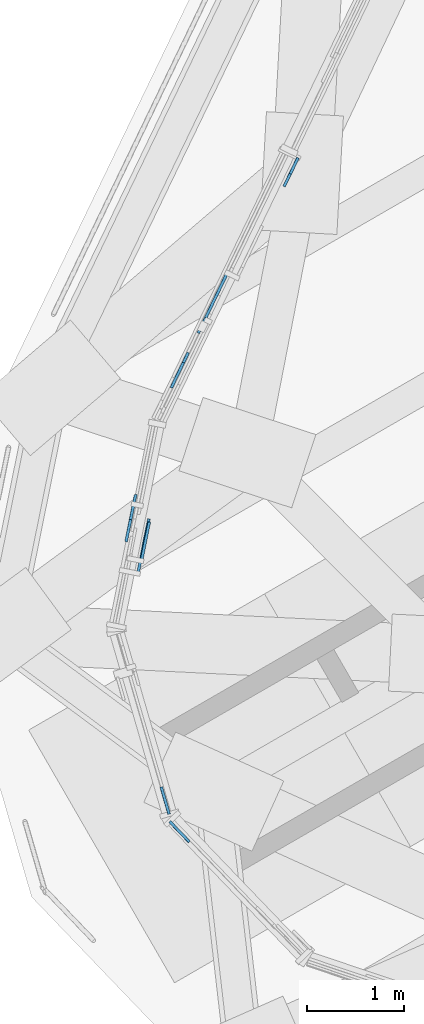
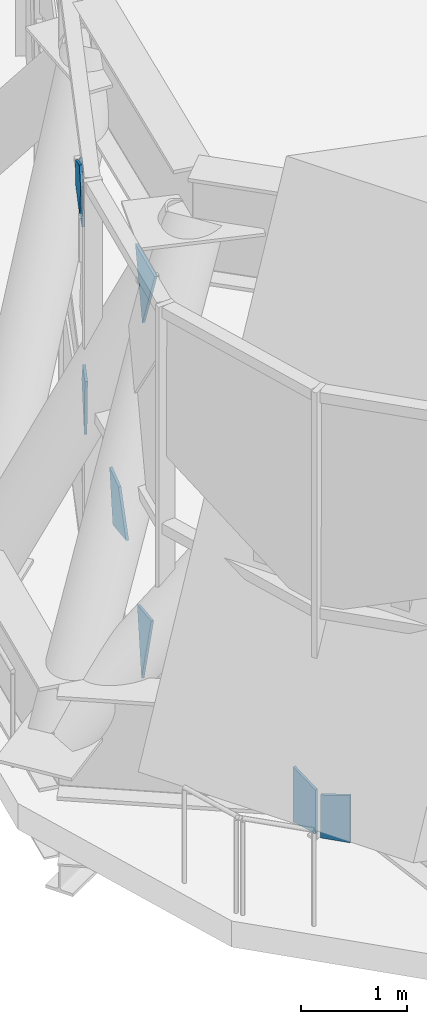
# One storey, part 22 of 43: 8 plates, 2 elements without a shape of their own.
"""IFC4 building model written with IfcOpenShell, lengths in metres."""

from ifc_helpers import new_model, si_unit, direction, frame, origin, place, context, subcontext, project, spatial, polyline, outline, extrude, material, layer, layer_set, type_object, element, aggregate, save


model = new_model("IFC4")

# Units and contexts
model_context = context("Model", 3, precision=1e-05, world=origin(), true_north=direction((0.0, 1.0)))
body_context = subcontext(model_context, "Body", "Model", "MODEL_VIEW")
ifc_project = project(units=[si_unit("LENGTHUNIT", "METRE"), si_unit("AREAUNIT", "SQUARE_METRE"), si_unit("VOLUMEUNIT", "CUBIC_METRE"), si_unit("PLANEANGLEUNIT", "RADIAN"), si_unit("MASSUNIT", "GRAM", prefix="KILO")], contexts=[model_context])

# Site, building, storey
site_placement = place(None, origin())
site = spatial("IfcSite", under=ifc_project, at=site_placement, CompositionType="ELEMENT")
building_placement = place(site_placement, origin())
building = spatial("IfcBuilding", under=site, at=building_placement, Name="Mestral Congress Tower", CompositionType="ELEMENT")
storey_placement = place(building_placement, frame((0.0, 0.0, 78.300048828125)))
storey = spatial("IfcBuildingStorey", under=building, at=storey_placement, Name="L18", CompositionType="ELEMENT", Elevation=78.300048828125)

# Curtain wall, plates
ifc_material_1 = material(Name="Clear low-emissivity double glazing", Category="glass")
curtain_wall_type = type_object("IfcCurtainWallType", Name="Facade refuge band screen", PredefinedType="USERDEFINED", material=ifc_material_1)
placement = place(storey_placement, origin())
curtain_wall_1 = element("IfcCurtainWall", 1, at=placement, inside=storey, type_object=curtain_wall_type, Name="Facade refuge band screen face 3", ObjectType="CURTAIN WALL", PredefinedType="USERDEFINED")
ifc_material_2 = material(Name="Anodised aluminium", Category="aluminium")
ifc_layer_1 = layer(ifc_material_2, 0.028076171875)
ifc_layer_set_1 = layer_set([ifc_layer_1], Name="Anodised aluminium")
plate_type_1 = type_object("IfcPlateType", Name="Facade refuge band screen brace cover panel", PredefinedType="CURTAIN_PANEL", material=ifc_layer_set_1)
plate_1_placement = place(storey_placement, frame((-30.748291015625, -11.8408203125, 3.259765625), z_axis=(-0.900605936949, 0.434631511908, 0.002096470412), x_axis=(-0.103876412622, -0.210555016509, -0.97204746588)))
plate_1 = element("IfcPlate", 2, at=plate_1_placement, type_object=plate_type_1, Name="Facade refuge band screen brace cover panel", PredefinedType="CURTAIN_PANEL", context=body_context, shape_type="SweptSolid", body=[
    extrude(outline(polyline([(0.0, 0.0), (0.6171033664476244, 0.0), (0.5401441770115606, -0.3186357915955725), (-0.020870130839500397, -0.18312031866380135), (0.0, 0.0)])), origin(), (0.0, 0.0, -1.0), 0.028076171875),
])
plate_2_placement = place(storey_placement, frame((-31.6943359375, -13.47900390625, 4.34814453125), z_axis=(-0.900571642027, 0.434702467155, 0.002117221346), x_axis=(0.108116058928, 0.228695773218, -0.967475664352)))
plate_2 = element("IfcPlate", 3, at=plate_2_placement, type_object=plate_type_1, Name="Facade refuge band screen brace cover panel", PredefinedType="CURTAIN_PANEL", context=body_context, shape_type="SweptSolid", body=[
    extrude(outline(polyline([(0.0, 0.0), (0.42394461844678344, -1.3877787807814457e-17), (0.5584873466837543, -0.5145842770990432), (0.3329932145730661, -0.6230826584627541), (-0.07988672367834282, -0.20406000523114462), (0.0, 0.0)])), origin(), (0.0, 0.0, -1.0), 0.028076171875),
])

curtain_wall_2 = element("IfcCurtainWall", 4, at=placement, inside=storey, type_object=curtain_wall_type, Name="Facade refuge band screen corner 3", ObjectType="CURTAIN WALL", PredefinedType="USERDEFINED")
plate_3_placement = place(storey_placement, frame((-32.198974609375, -15.423583984375, 0.88818359375), z_axis=(-0.980262429601, 0.197688798977, 0.002169762967), x_axis=(-0.193400154641, -0.961157868232, 0.196905897626)))
plate_3 = element("IfcPlate", 5, at=plate_3_placement, type_object=plate_type_1, Name="Facade refuge band screen brace cover panel", PredefinedType="CURTAIN_PANEL", context=body_context, shape_type="SweptSolid", body=[
    extrude(outline(polyline([(0.0, 0.0), (0.4178411699043781, 0.0), (-0.022970776073544058, -0.7750568350605532), (0.0, 0.0)])), origin(), (0.0, 0.0, -1.0), 0.028076171875),
])
plate_4_placement = place(storey_placement, frame((-32.3388671875, -15.141357421875, 2.35205078125), z_axis=(-0.980221063407, 0.197896053309, 0.001954210464), x_axis=(-0.193992673639, -0.958839225873, -0.207350383412)))
plate_4 = element("IfcPlate", 6, at=plate_4_placement, type_object=plate_type_1, Name="Facade refuge band screen brace cover panel", PredefinedType="CURTAIN_PANEL", context=body_context, shape_type="SweptSolid", body=[
    extrude(outline(polyline([(0.0, 0.0), (0.2696309595116962, 0.0), (0.5927454469002463, -0.40518795903048643), (0.2237059464127999, -0.564267510603901), (0.0, 0.0)])), origin(), (0.0, 0.0, -1.0), 0.028076171875),
])
plate_5_placement = place(storey_placement, frame((-32.31591796875, -15.9541015625, 5.030029296875), z_axis=(-0.98025052882, 0.19775119128, 0.00183496476), x_axis=(0.082333844925, 0.416529208526, -0.905386412768)))
plate_5 = element("IfcPlate", 7, at=plate_5_placement, type_object=plate_type_1, Name="Facade refuge band screen brace cover panel", PredefinedType="CURTAIN_PANEL", context=body_context, shape_type="SweptSolid", body=[
    extrude(outline(polyline([(0.0, 0.0), (0.8539926692862423, -5.551115123125783e-17), (0.24374635340405956, -0.5197660024727974), (0.0, 0.0)])), origin(), (0.0, 0.0, -1.0), 0.028076171875),
])
plate_6_placement = place(storey_placement, frame((-31.995849609375, -18.433837890625, 0.0), z_axis=(-0.960300588358, -0.278960340825, 0.001976928659), x_axis=(-0.278960885849, 0.960302464938, 5.2941e-08)))
plate_6 = element("IfcPlate", 8, at=plate_6_placement, type_object=plate_type_1, Name="Facade refuge band screen brace cover panel", PredefinedType="CURTAIN_PANEL", context=body_context, shape_type="SweptSolid", body=[
    extrude(outline(polyline([(0.0, 0.0), (0.2905861160952647, -5.421010862427522e-20), (0.29048006993859815, -0.6313488746064165), (-3.7947166877548687e-05, -0.5048838144923321), (0.0, 0.0)])), origin(), (0.0, 0.0, -1.0), 0.028076171875),
])
plate_7_placement = place(storey_placement, frame((-31.98583984375, -18.51513671875, 0.491943359375), z_axis=(-0.721587412838, -0.692319962986, 0.002162055659), x_axis=(0.681660216142, -0.709924115579, 0.177051122131)))
plate_7 = element("IfcPlate", 9, at=plate_7_placement, type_object=plate_type_1, Name="Facade refuge band screen brace cover panel", PredefinedType="CURTAIN_PANEL", context=body_context, shape_type="SweptSolid", body=[
    extrude(outline(polyline([(0.0, 0.0), (0.2950907835459691, 0.0), (0.19893545263398438, -0.5356284183648273), (-0.08707842270388043, -0.48417629974046084), (0.0, 0.0)])), origin(), (0.0, 0.0, -1.0), 0.028076171875),
])
aggregate(curtain_wall_2, [plate_3, plate_4, plate_5, plate_6, plate_7])

# Plate
ifc_layer_2 = layer(ifc_material_1, 0.028076171875)
ifc_layer_set_2 = layer_set([ifc_layer_2], Name="Clear low-emissivity double glazing")
plate_type_2 = type_object("IfcPlateType", Name="Facade refuge band screen panel", PredefinedType="CURTAIN_PANEL", material=ifc_layer_set_2)
plate_8_placement = place(storey_placement, frame((-31.798095703125, -13.679931640625, 2.29638671875), z_axis=(-0.900606733324, 0.434630055308, 0.002055946244), x_axis=(-0.182233993359, -0.38189713481, 0.906060345721)))
plate_8 = element("IfcPlate", 10, at=plate_8_placement, type_object=plate_type_2, Name="Refuge screen glass unit", PredefinedType="CURTAIN_PANEL", context=body_context, shape_type="SweptSolid", body=[
    extrude(outline(polyline([(0.0, 0.0), (0.2689144818009096, 1.3877787807814457e-17), (0.39020033192322956, -0.259705521795156), (-0.2378012249450882, -0.47222877736422064), (0.0, 0.0)])), origin(), (0.0, 0.0, -1.0), 0.028076171875),
])

aggregate(curtain_wall_1, [plate_8, plate_1, plate_2])

save(model, "model.ifc")
